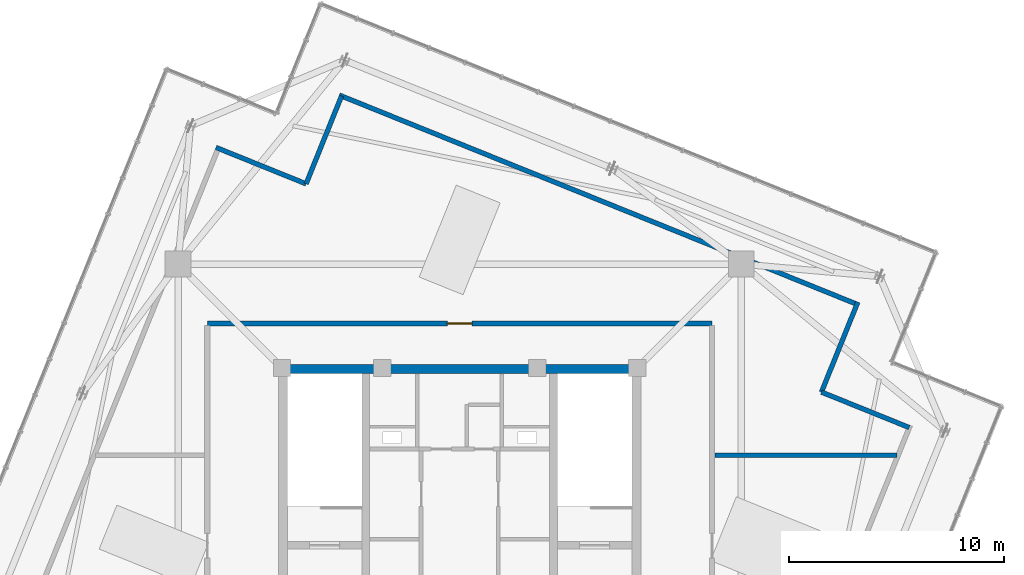
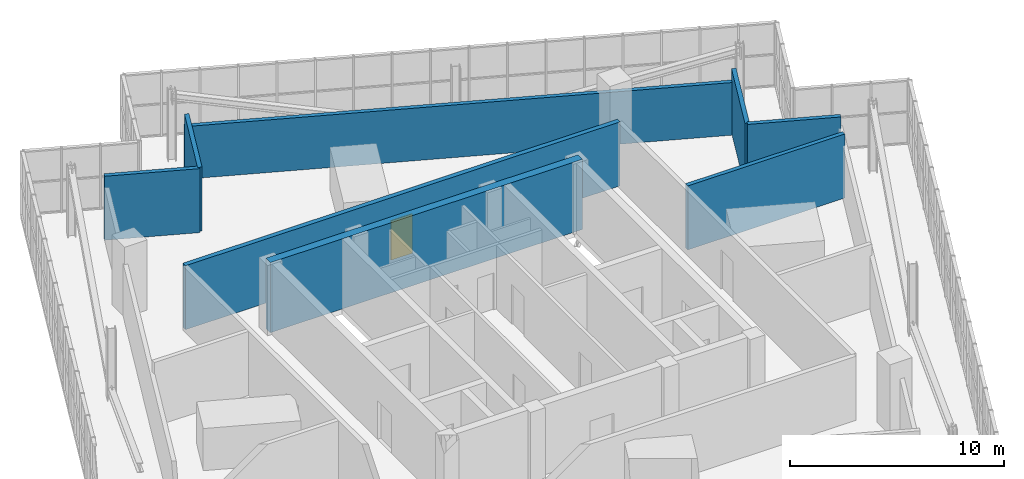
# One storey, part 24 of 26: 8 walls, 1 door, 1 opening.
"""IFC4 building model written with IfcOpenShell, lengths in metres."""

from ifc_helpers import new_model, si_unit, direction, frame, frame_2d, origin, place, context, subcontext, project, spatial, rectangle, extrude, source, transform, mapped, material, layer, layer_set, type_object, element, fill, save


model = new_model("IFC4")

# Units and contexts
model_context = context("Model", 3, precision=1e-05, world=origin(), true_north=direction((0.0, 1.0)))
body_context = subcontext(model_context, "Body", "Model", "MODEL_VIEW")
ifc_project = project(units=[si_unit("LENGTHUNIT", "METRE"), si_unit("AREAUNIT", "SQUARE_METRE"), si_unit("VOLUMEUNIT", "CUBIC_METRE"), si_unit("PLANEANGLEUNIT", "RADIAN"), si_unit("MASSUNIT", "GRAM", prefix="KILO"), si_unit("THERMODYNAMICTEMPERATUREUNIT", "KELVIN")], contexts=[model_context])

# Site, building, storey
site_placement = place(None, origin())
site = spatial("IfcSite", under=ifc_project, at=site_placement, CompositionType="ELEMENT")
building_placement = place(site_placement, origin())
building = spatial("IfcBuilding", under=site, at=building_placement, Name="Kosmvard Interchange Tower", CompositionType="ELEMENT")
storey_placement = place(building_placement, frame((0.0, 0.0, 341.60009765625)))
storey = spatial("IfcBuildingStorey", under=building, at=storey_placement, Name="L84", CompositionType="ELEMENT", Elevation=341.60009765625)

# Wall
ifc_material_1 = material(Name="Concrete C50/60", Category="concrete")
ifc_layer_1 = layer(ifc_material_1, 0.419921875, Name="Concrete C50/60")
ifc_layer_set_1 = layer_set([ifc_layer_1], Name="Concrete C50/60")
wall_type_1 = type_object("IfcWallType", Name="Crown Core Shear Wall 420 C50/60", PredefinedType="SHEAR", material=ifc_layer_set_1)
wall_1_placement = place(storey_placement, frame((-8.419921875, 8.2099609375, 0.0), z_axis=(0.0, 0.0, 1.0), x_axis=(1.0, 0.0, 0.0)))
element("IfcWall", 1, at=wall_1_placement, inside=storey, type_object=wall_type_1, Name="L84 Core Shear Wall CW-N", PredefinedType="SHEAR", context=body_context, shape_type="SweptSolid", body=[
    extrude(rectangle(XDim=16.83984375, YDim=0.419921875, at=frame_2d((8.419921875, 0.0))), origin(), (0.0, 0.0, 1.0), 4.0),
])

# Wall, opening, door
ifc_material_2 = material(Name="Concrete blockwork masonry", Category="masonry")
ifc_layer_2 = layer(ifc_material_2, 0.25, Name="Concrete blockwork masonry")
ifc_layer_set_2 = layer_set([ifc_layer_2], Name="Concrete blockwork masonry")
wall_type_2 = type_object("IfcWallType", Name="Exit Passage & Firefighting Lobby Wall 250", PredefinedType="PARTITIONING", material=ifc_layer_set_2)
wall_2_placement = place(storey_placement, frame((-11.719970703125, 10.320068359375, 0.0), z_axis=(0.0, 0.0, 1.0), x_axis=(1.0, 0.0, 0.0)))
wall_2 = element("IfcWall", 2, at=wall_2_placement, inside=storey, type_object=wall_type_2, Name="L84 Corridor Wall CN", PredefinedType="PARTITIONING", context=body_context, shape_type="SweptSolid", body=[
    extrude(rectangle(XDim=23.43994140625, YDim=0.25, at=frame_2d((11.719970703125, 0.0))), origin(), (0.0, 0.0, 1.0), 3.64990234375),
])
opening_placement = place(wall_2_placement, frame((11.14501953125, 0.0, 0.0)))
opening = element("IfcOpeningElement", 3, at=opening_placement, cuts=wall_2, Name="Opening L84-D01", PredefinedType="OPENING", context=body_context, shape_type="SweptSolid", body=[
    extrude(rectangle(XDim=1.14990234375, YDim=2.25, at=frame_2d((0.574951171875, 1.125))), frame((0.0, 0.135009765625, 0.0), z_axis=(0.0, -1.0, 0.0), x_axis=(1.0, 0.0, 0.0)), (0.0, 0.0, 1.0), 0.27001953125),
])
ifc_material_3 = material(Name="Painted fire-rated steel leaf", Category="steel")
door_type = type_object("IfcDoorType", Name="Plant & Riser Fire Door 1150x2250 EI60", OperationType="NOTDEFINED", PredefinedType="DOOR", material=ifc_material_3)
shared_shape = source(origin(), body_context, "Body", "SweptSolid", [
    extrude(rectangle(XDim=1.14990234375, YDim=2.25, at=frame_2d((0.574951171875, 1.125))), frame((0.0, 0.02490234375, 0.0), z_axis=(0.0, -1.0, 0.0), x_axis=(1.0, 0.0, 0.0)), (0.0, 0.0, 1.0), 0.050048828125),
])
door_placement = place(opening_placement, origin())
door = element("IfcDoor", 4, at=door_placement, inside=storey, type_object=door_type, Name="L84 Lantern Illumination Control Plant Room Door", OperationType="SINGLE_SWING_LEFT", OverallHeight=2.25, OverallWidth=1.14990234375, PredefinedType="DOOR", context=body_context, shape_type="MappedRepresentation", body=[
    mapped(shared_shape, transform((0.0, 0.0, 0.0), scale=1.0)),
])
fill(opening, door)

# Walls
ifc_layer_3 = layer(ifc_material_2, 0.219970703125, Name="Concrete blockwork masonry")
ifc_layer_set_3 = layer_set([ifc_layer_3], Name="Concrete blockwork masonry")
wall_type_3 = type_object("IfcWallType", Name="Riser & Plant Enclosure Wall 220", PredefinedType="PARTITIONING", material=ifc_layer_set_3)
wall_3_placement = place(storey_placement, frame((20.8857421875, 5.485595703125, 0.0), z_axis=(0.0, 0.0, 1.0), x_axis=(-0.927189216671, 0.374593321469, 0.0)))
element("IfcWall", 5, at=wall_3_placement, inside=storey, type_object=wall_type_3, Name="L84 Crown Plant Enclosure Wall SE1", PredefinedType="PARTITIONING", context=body_context, shape_type="SweptSolid", body=[
    extrude(rectangle(XDim=4.39990234375, YDim=0.219970703125, at=frame_2d((2.199951171875, 0.0))), origin(), (0.0, 0.0, 1.0), 3.64990234375),
])
wall_4_placement = place(storey_placement, frame((16.80615234375, 7.1337890625, 0.0), z_axis=(0.0, 0.0, 1.0), x_axis=(0.374599091925, 0.927186885331, 0.0)))
element("IfcWall", 6, at=wall_4_placement, inside=storey, type_object=wall_type_3, Name="L84 Crown Plant Enclosure Wall SE2", PredefinedType="PARTITIONING", context=body_context, shape_type="SweptSolid", body=[
    extrude(rectangle(XDim=4.510009765625, YDim=0.219970703125, at=frame_2d((2.2548828125, 0.0))), origin(), (0.0, 0.0, 1.0), 3.64990234375),
])
wall_5_placement = place(storey_placement, frame((18.556396484375, 11.172119140625, 0.0), z_axis=(0.0, 0.0, 1.0), x_axis=(-0.927181788521, 0.374611707018, 0.0)))
element("IfcWall", 7, at=wall_5_placement, inside=storey, type_object=wall_type_3, Name="L84 Crown Plant Enclosure Wall E", PredefinedType="PARTITIONING", context=body_context, shape_type="SweptSolid", body=[
    extrude(rectangle(XDim=26.0400390625, YDim=0.219970703125, at=frame_2d((13.02001953125, 0.0))), origin(), (0.0, 0.0, 1.0), 3.0),
])
wall_6_placement = place(storey_placement, frame((-5.485595703125, 20.8857421875, 0.0), z_axis=(0.0, 0.0, 1.0), x_axis=(-0.374593321469, -0.927189216671, 0.0)))
element("IfcWall", 8, at=wall_6_placement, inside=storey, type_object=wall_type_3, Name="L84 Crown Plant Enclosure Wall NE1", PredefinedType="PARTITIONING", context=body_context, shape_type="SweptSolid", body=[
    extrude(rectangle(XDim=4.39990234375, YDim=0.219970703125, at=frame_2d((2.199951171875, 0.0))), origin(), (0.0, 0.0, 1.0), 3.64990234375),
])
wall_7_placement = place(storey_placement, frame((-7.1337890625, 16.80615234375, 0.0), z_axis=(0.0, 0.0, 1.0), x_axis=(-0.927186885331, 0.374599091925, 0.0)))
element("IfcWall", 9, at=wall_7_placement, inside=storey, type_object=wall_type_3, Name="L84 Crown Plant Enclosure Wall NE2", PredefinedType="PARTITIONING", context=body_context, shape_type="SweptSolid", body=[
    extrude(rectangle(XDim=4.510009765625, YDim=0.219970703125, at=frame_2d((2.2548828125, 0.0))), origin(), (0.0, 0.0, 1.0), 3.64990234375),
])
wall_8_placement = place(storey_placement, frame((11.85009765625, 4.199951171875, 0.0), z_axis=(0.0, 0.0, 1.0), x_axis=(1.0, 0.0, 0.0)))
element("IfcWall", 10, at=wall_8_placement, inside=storey, type_object=wall_type_3, Name="L84 Room Partition 01.1", PredefinedType="PARTITIONING", context=body_context, shape_type="SweptSolid", body=[
    extrude(rectangle(XDim=8.4677734375, YDim=0.219970703125, at=frame_2d((4.23388671875, 0.0))), origin(), (0.0, 0.0, 1.0), 3.64990234375),
])

save(model, "model.ifc")
